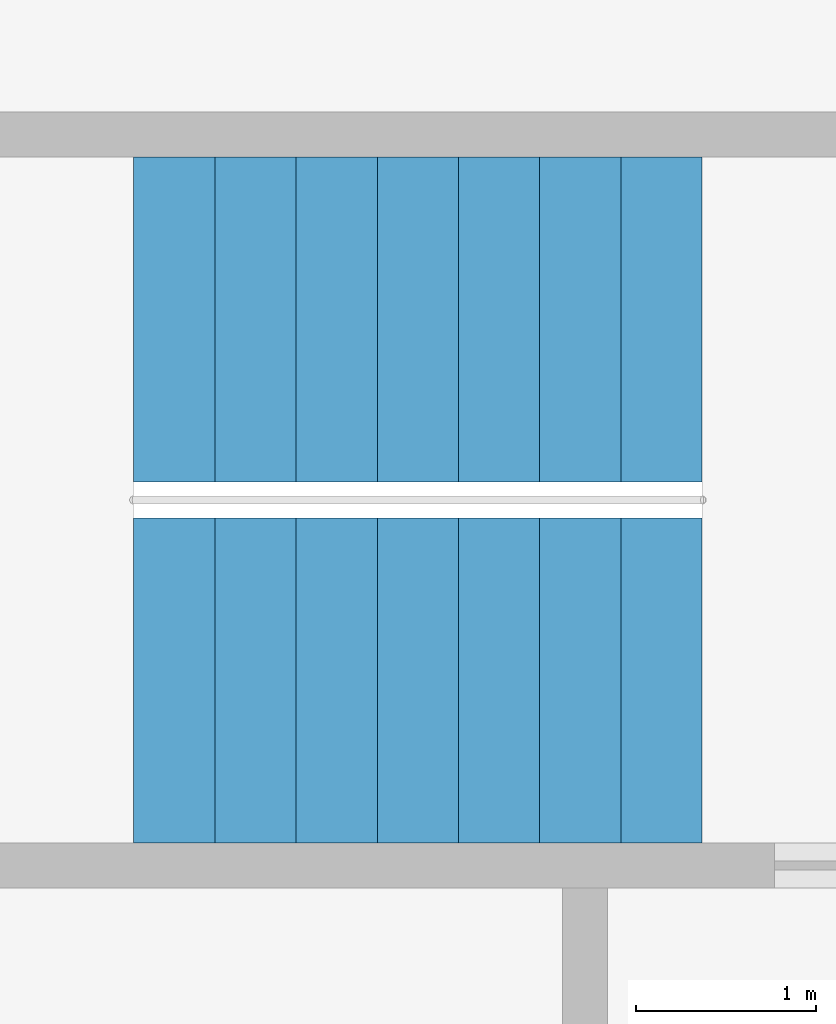
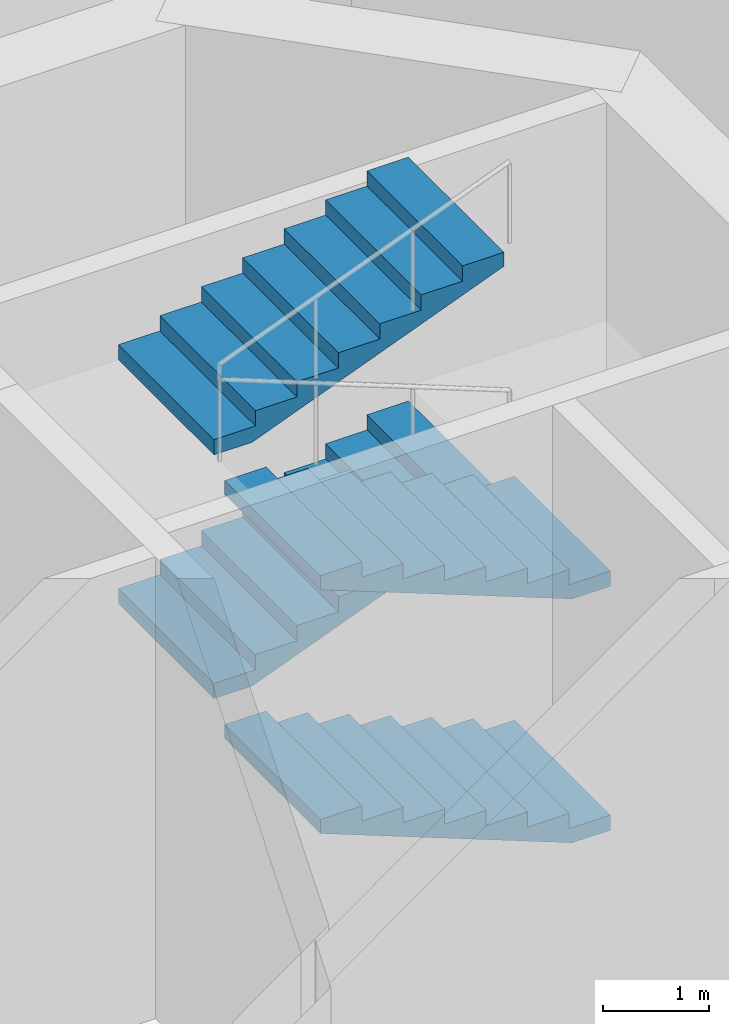
# One storey, part 12 of 13: 4 stair flights, 1 element without a shape of its own.
"""IFC4 building model written with IfcOpenShell, lengths in metres."""

from ifc_helpers import new_model, si_unit, direction, frame, origin, place, context, subcontext, project, spatial, polyline, outline, extrude, material, type_object, element, aggregate, save


model = new_model("IFC4")

# Units and contexts
model_context = context("Model", 3, precision=1e-05, world=origin(), true_north=direction((0.0, 1.0)))
body_context = subcontext(model_context, "Body", "Model", "MODEL_VIEW")
ifc_project = project(units=[si_unit("LENGTHUNIT", "METRE"), si_unit("AREAUNIT", "SQUARE_METRE"), si_unit("VOLUMEUNIT", "CUBIC_METRE"), si_unit("PLANEANGLEUNIT", "RADIAN"), si_unit("MASSUNIT", "GRAM", prefix="KILO")], contexts=[model_context])

# Site, building, storey
site_placement = place(None, origin())
site = spatial("IfcSite", under=ifc_project, at=site_placement, CompositionType="ELEMENT")
building_placement = place(site_placement, origin())
building = spatial("IfcBuilding", under=site, at=building_placement, Name="Marenthal Gate Tower", CompositionType="ELEMENT")
storey_placement = place(building_placement, frame((0.0, 0.0, 401.949951171875)))
storey = spatial("IfcBuildingStorey", under=building, at=storey_placement, Name="L91", CompositionType="ELEMENT", Elevation=401.949951171875)

# Stair, stair flights
ifc_material_1 = material(Name="Concrete 40 MPa", Category="concrete")
stair_type = type_object("IfcStairType", Name="Exit stair 1800", PredefinedType="HALF_TURN_STAIR", material=ifc_material_1)
stair_placement = place(storey_placement, origin())
stair = element("IfcStair", 1, at=stair_placement, inside=storey, type_object=stair_type, Name="Stair ST3", PredefinedType="HALF_TURN_STAIR")
ifc_material_2 = material(Name="Concrete 40 MPa", Category="concrete")
stair_flight_type = type_object("IfcStairFlightType", Name="Stair flight 1800", PredefinedType="STRAIGHT", material=ifc_material_2)
stair_flight_1_placement = place(storey_placement, frame((13.5, 6.675048828125, 0.0), z_axis=(0.0, 0.0, 1.0), x_axis=(-1.0, 0.0, 0.0)))
stair_flight_1 = element("IfcStairFlight", 2, at=stair_flight_1_placement, type_object=stair_flight_type, Name="ST3 flight 1", NumberOfRisers=8, NumberOfTreads=7, PredefinedType="STRAIGHT", RiserHeight=0.175, TreadLength=0.45, context=body_context, shape_type="SweptSolid", body=[
    extrude(outline(polyline([(0.0, 0.0), (0.0, 0.175048828125), (0.449951171875, 0.175048828125), (0.449951171875, 0.35009765625), (0.89990234375, 0.35009765625), (0.89990234375, 0.52490234375), (1.35009765625, 0.52490234375), (1.35009765625, 0.699951171875), (1.800048828125, 0.699951171875), (1.800048828125, 0.875), (2.25, 0.875), (2.25, 1.050048828125), (2.699951171875, 1.050048828125), (2.699951171875, 1.22509765625), (3.14990234375, 1.22509765625), (3.14990234375, 1.39990234375), (3.14990234375, 1.064208984375), (0.41357421875, 0.0), (0.0, 0.0)])), frame((0.0, 0.89990234375, 0.0), z_axis=(0.0, -1.0, 0.0), x_axis=(1.0, 0.0, 0.0)), (0.0, 0.0, 1.0), 1.800048828125),
])
stair_flight_2_placement = place(storey_placement, frame((10.35009765625, 8.675048828125, 1.400146484375), z_axis=(0.0, 0.0, 1.0), x_axis=(1.0, 0.0, 0.0)))
stair_flight_2 = element("IfcStairFlight", 3, at=stair_flight_2_placement, type_object=stair_flight_type, Name="ST3 flight 2", NumberOfRisers=8, NumberOfTreads=7, PredefinedType="STRAIGHT", RiserHeight=0.175, TreadLength=0.45, context=body_context, shape_type="SweptSolid", body=[
    extrude(outline(polyline([(0.0, 0.0), (0.0, 0.175048828125), (0.449951171875, 0.175048828125), (0.449951171875, 0.35009765625), (0.89990234375, 0.35009765625), (0.89990234375, 0.52490234375), (1.35009765625, 0.52490234375), (1.35009765625, 0.699951171875), (1.800048828125, 0.699951171875), (1.800048828125, 0.875), (2.25, 0.875), (2.25, 1.050048828125), (2.699951171875, 1.050048828125), (2.699951171875, 1.22509765625), (3.14990234375, 1.22509765625), (3.14990234375, 1.39990234375), (3.14990234375, 1.064208984375), (0.41357421875, 0.0), (0.0, 0.0)])), frame((0.0, 0.89990234375, 0.0), z_axis=(0.0, -1.0, 0.0), x_axis=(1.0, 0.0, 0.0)), (0.0, 0.0, 1.0), 1.800048828125),
])
stair_flight_3_placement = place(storey_placement, frame((13.5, 6.675048828125, 2.800048828125), z_axis=(0.0, 0.0, 1.0), x_axis=(-1.0, 0.0, 0.0)))
stair_flight_3 = element("IfcStairFlight", 4, at=stair_flight_3_placement, type_object=stair_flight_type, Name="ST3 flight 3", NumberOfRisers=8, NumberOfTreads=7, PredefinedType="STRAIGHT", RiserHeight=0.175, TreadLength=0.45, context=body_context, shape_type="SweptSolid", body=[
    extrude(outline(polyline([(0.0, 0.0), (0.0, 0.175048828125), (0.449951171875, 0.175048828125), (0.449951171875, 0.35009765625), (0.89990234375, 0.35009765625), (0.89990234375, 0.52490234375), (1.35009765625, 0.52490234375), (1.35009765625, 0.699951171875), (1.800048828125, 0.699951171875), (1.800048828125, 0.875), (2.25, 0.875), (2.25, 1.050048828125), (2.699951171875, 1.050048828125), (2.699951171875, 1.22509765625), (3.14990234375, 1.22509765625), (3.14990234375, 1.39990234375), (3.14990234375, 1.064208984375), (0.41357421875, 0.0), (0.0, 0.0)])), frame((0.0, 0.89990234375, 0.0), z_axis=(0.0, -1.0, 0.0), x_axis=(1.0, 0.0, 0.0)), (0.0, 0.0, 1.0), 1.800048828125),
])
stair_flight_4_placement = place(storey_placement, frame((10.35009765625, 8.675048828125, 4.199951171875), z_axis=(0.0, 0.0, 1.0), x_axis=(1.0, 0.0, 0.0)))
stair_flight_4 = element("IfcStairFlight", 5, at=stair_flight_4_placement, type_object=stair_flight_type, Name="ST3 flight 4", NumberOfRisers=8, NumberOfTreads=7, PredefinedType="STRAIGHT", RiserHeight=0.175, TreadLength=0.45, context=body_context, shape_type="SweptSolid", body=[
    extrude(outline(polyline([(0.0, 0.0), (0.0, 0.175048828125), (0.449951171875, 0.175048828125), (0.449951171875, 0.35009765625), (0.89990234375, 0.35009765625), (0.89990234375, 0.52490234375), (1.35009765625, 0.52490234375), (1.35009765625, 0.699951171875), (1.800048828125, 0.699951171875), (1.800048828125, 0.875), (2.25, 0.875), (2.25, 1.050048828125), (2.699951171875, 1.050048828125), (2.699951171875, 1.22509765625), (3.14990234375, 1.22509765625), (3.14990234375, 1.39990234375), (3.14990234375, 1.064208984375), (0.41357421875, 0.0), (0.0, 0.0)])), frame((0.0, 0.89990234375, 0.0), z_axis=(0.0, -1.0, 0.0), x_axis=(1.0, 0.0, 0.0)), (0.0, 0.0, 1.0), 1.800048828125),
])
aggregate(stair, [stair_flight_1, stair_flight_2, stair_flight_3, stair_flight_4])

save(model, "model.ifc")
